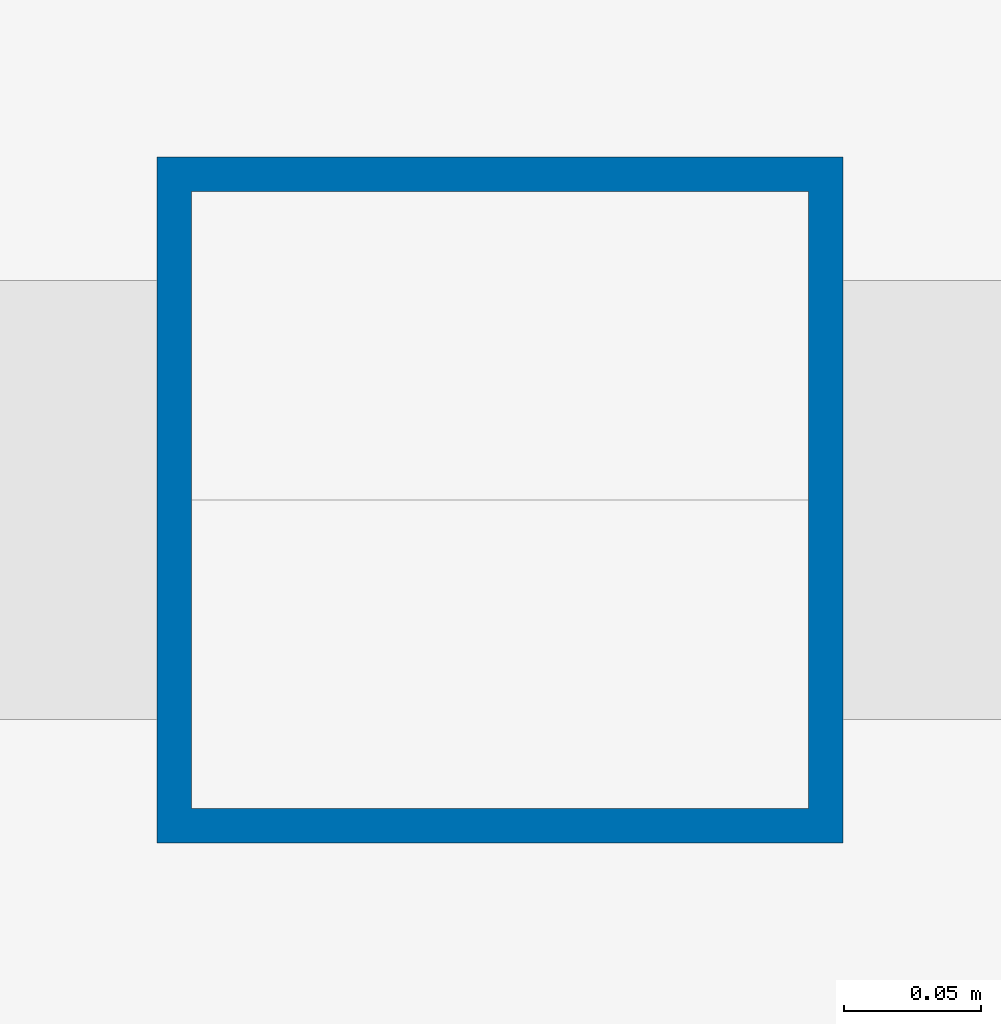
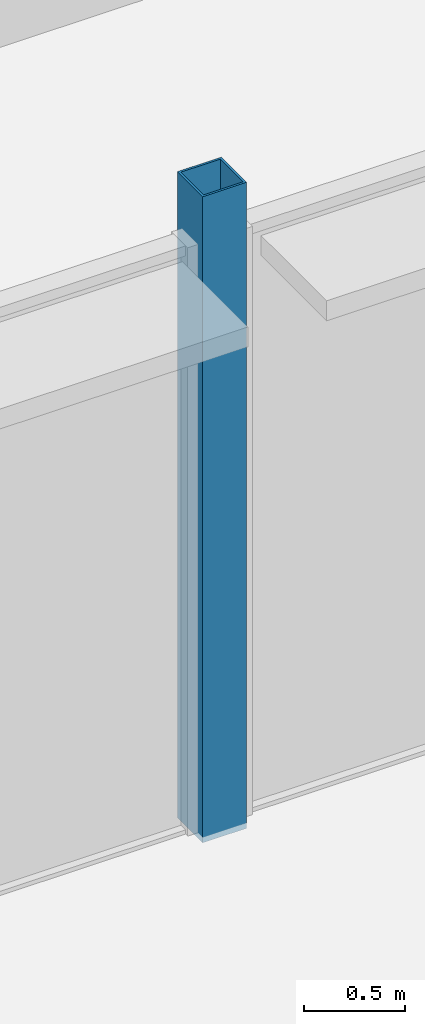
# One storey, part 6 of 105: 1 column.
"""IFC4 building model written with IfcOpenShell, lengths in metres."""

from ifc_helpers import new_model, si_unit, direction, frame, origin, origin_2d, place, context, subcontext, project, spatial, hollow_rectangle, extrude, material, material_profile, profile_set, type_object, element, save


model = new_model("IFC4")

# Units and contexts
model_context = context("Model", 3, precision=1e-05, world=origin(), true_north=direction((0.0, 1.0)))
body_context = subcontext(model_context, "Body", "Model", "MODEL_VIEW")
ifc_project = project(units=[si_unit("LENGTHUNIT", "METRE"), si_unit("AREAUNIT", "SQUARE_METRE"), si_unit("VOLUMEUNIT", "CUBIC_METRE"), si_unit("PLANEANGLEUNIT", "RADIAN"), si_unit("MASSUNIT", "GRAM", prefix="KILO")], contexts=[model_context])

# Site, building, storey
site_placement = place(None, origin())
site = spatial("IfcSite", under=ifc_project, at=site_placement, CompositionType="ELEMENT")
building_placement = place(site_placement, origin())
building = spatial("IfcBuilding", under=site, at=building_placement, Name="Kisiwana Market Hall", CompositionType="ELEMENT")
storey_placement = place(building_placement, frame((0.0, 0.0, 21.60009765625)))
storey = spatial("IfcBuildingStorey", under=building, at=storey_placement, Name="L04", CompositionType="ELEMENT", Elevation=21.60009765625)

# Column
ifc_material = material(Name="Steel S355", Category="steel")
ifc_material_profile = material_profile(ifc_material, hollow_rectangle(XDim=0.25, YDim=0.25, WallThickness=0.012451171875, at=origin_2d()), Name="SHS 250x250x12.5")
ifc_profile_set = profile_set([ifc_material_profile], Name="Steel S355")
column_type = type_object("IfcColumnType", Name="COL-STL-SHS250", PredefinedType="COLUMN", material=ifc_profile_set)
column_placement = place(storey_placement, frame((63.0, 93.0, 0.0), z_axis=(0.0, 0.0, 1.0), x_axis=(1.0, 0.0, 0.0)))
element("IfcColumn", 1, at=column_placement, inside=storey, type_object=column_type, Name="Column M/8 (L04) C-0825", PredefinedType="COLUMN", context=body_context, shape_type="SweptSolid", body=[
    extrude(hollow_rectangle(XDim=0.25, YDim=0.25, WallThickness=0.012451171875, at=origin_2d()), origin(), (0.0, 0.0, 1.0), 3.89990234375),
])

save(model, "model.ifc")
